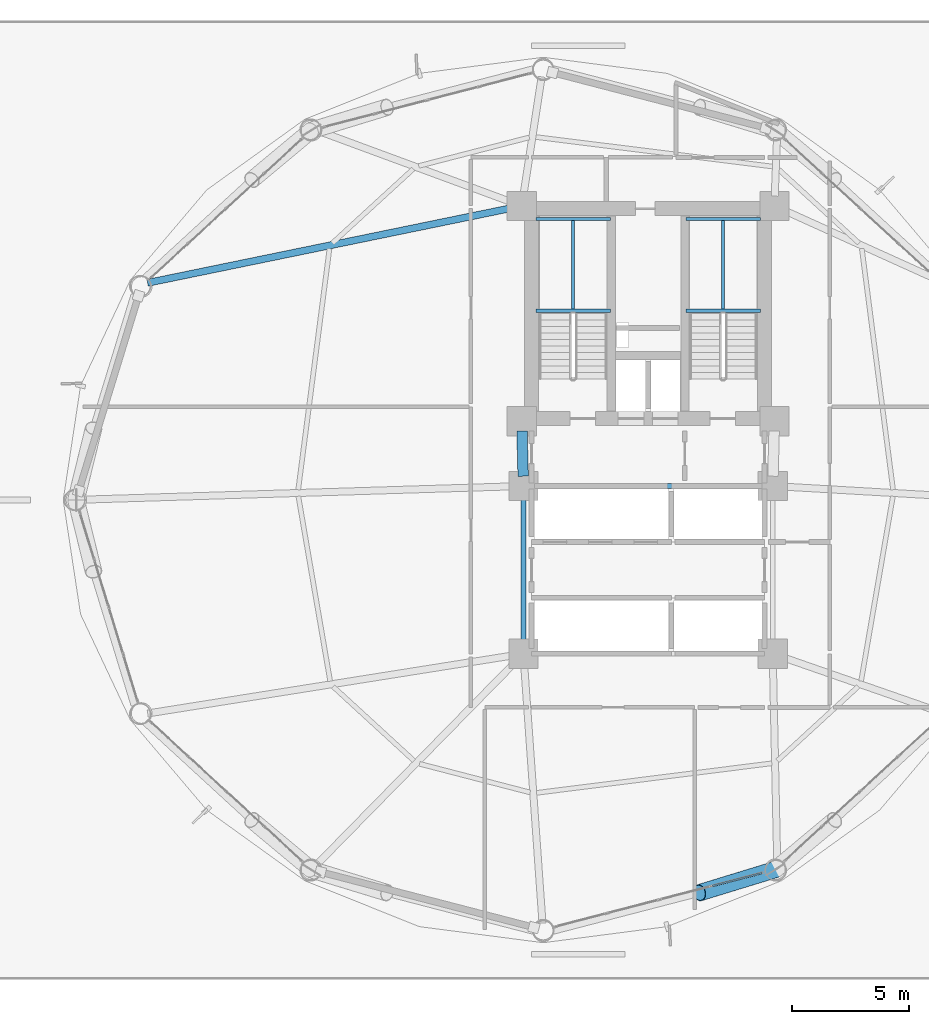
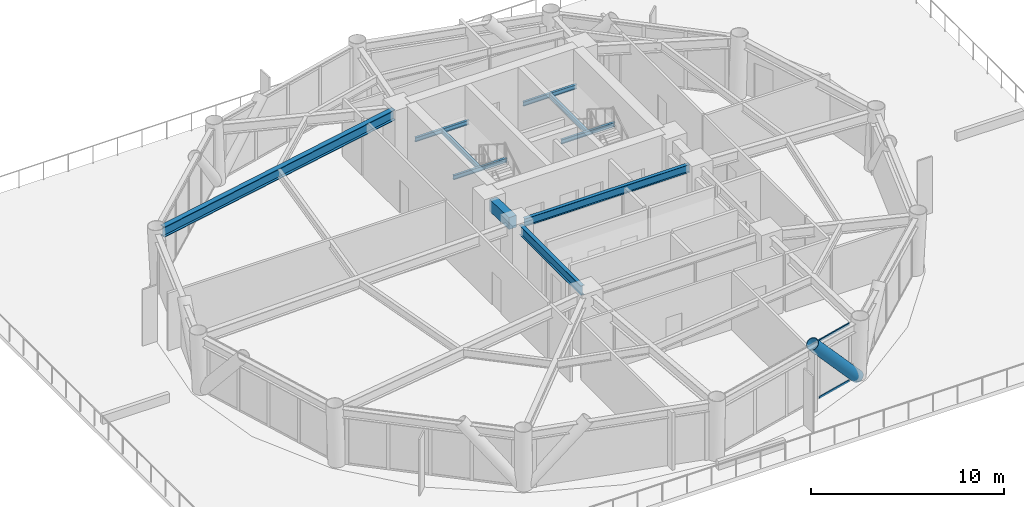
# One storey, part 10 of 24: 10 beams, 3 members, 1 element without a shape of its own.
"""IFC4 building model written with IfcOpenShell, lengths in metres."""

from ifc_helpers import new_model, si_unit, direction, frame, origin, origin_2d, place, context, subcontext, project, spatial, rectangle, hollow_rectangle, hollow_circle, i_section, extrude, material, layer, layer_set, material_profile, profile_set, type_object, element, aggregate, save


model = new_model("IFC4")

# Units and contexts
model_context = context("Model", 3, precision=1e-05, world=origin(), true_north=direction((0.0, 1.0)))
body_context = subcontext(model_context, "Body", "Model", "MODEL_VIEW")
ifc_project = project(units=[si_unit("LENGTHUNIT", "METRE"), si_unit("AREAUNIT", "SQUARE_METRE"), si_unit("VOLUMEUNIT", "CUBIC_METRE"), si_unit("PLANEANGLEUNIT", "RADIAN"), si_unit("MASSUNIT", "GRAM", prefix="KILO")], contexts=[model_context])

# Site, building, storey
site_placement = place(None, origin())
site = spatial("IfcSite", under=ifc_project, at=site_placement, CompositionType="ELEMENT")
building_placement = place(site_placement, origin())
building = spatial("IfcBuilding", under=site, at=building_placement, Name="Varnakorn Sky Granary", CompositionType="ELEMENT")
storey_placement = place(building_placement, frame((0.0, 0.0, 27.60009765625)))
storey = spatial("IfcBuildingStorey", under=building, at=storey_placement, Name="L06", CompositionType="ELEMENT", Elevation=27.60009765625)

# Beams
ifc_material_1 = material(Name="Steel S355JR", Category="steel")
ifc_material_profile_1 = material_profile(ifc_material_1, i_section(OverallWidth=0.219970703125, OverallDepth=0.60009765625, WebThickness=0.011962890625, FlangeThickness=0.01904296875, at=origin_2d()), Name="IPE 600")
ifc_profile_set_1 = profile_set([ifc_material_profile_1], Name="Steel S355JR")
beam_type_1 = type_object("IfcBeamType", Name="BM-JST-600", PredefinedType="JOIST", material=ifc_profile_set_1)
beam_1_placement = place(storey_placement, frame((-2.35009765625, 0.179931640625, 3.33984375), z_axis=(0.0, -1.0, 0.0), x_axis=(1.0, 0.0, 0.0)))
element("IfcBeam", 1, at=beam_1_placement, inside=storey, type_object=beam_type_1, Name="Core Spine Framing Beam 3 L06", PredefinedType="JOIST", context=body_context, shape_type="SweptSolid", body=[
    extrude(i_section(OverallWidth=0.219970703125, OverallDepth=0.60009765625, WebThickness=0.011962890625, FlangeThickness=0.01904296875, at=origin_2d()), origin(), (0.0, 0.0, 1.0), 6.35986328125),
])
ifc_material_2 = material(Name="Concrete C60/75", Category="concrete")
ifc_material_profile_2 = material_profile(ifc_material_2, rectangle(XDim=0.449951171875, YDim=0.75, at=origin_2d()), Name="RC 450x750")
ifc_profile_set_2 = profile_set([ifc_material_profile_2], Name="Concrete C60/75")
beam_type_2 = type_object("IfcBeamType", Name="BM-LIN-750", PredefinedType="LINTEL", material=ifc_profile_set_2)
beam_2_placement = place(storey_placement, frame((-2.409423828125, 2.960205078125, 3.264892578125), z_axis=(0.025158763514, -0.999683468213, 0.0), x_axis=(0.999683468213, 0.025158763514, 0.0)))
element("IfcBeam", 2, at=beam_2_placement, inside=storey, type_object=beam_type_2, Name="Core Spine Framing Beam 1 L06", PredefinedType="LINTEL", context=body_context, shape_type="SweptSolid", body=[
    extrude(rectangle(XDim=0.449951171875, YDim=0.75, at=origin_2d()), origin(), (0.0, 0.0, 1.0), 1.94091796875),
])
ifc_material_profile_3 = material_profile(ifc_material_1, i_section(OverallWidth=0.135009765625, OverallDepth=0.27001953125, WebThickness=0.006591796875, FlangeThickness=0.01025390625, at=origin_2d()), Name="IPE 270")
ifc_profile_set_3 = profile_set([ifc_material_profile_3], Name="Steel S355JR")
beam_type_3 = type_object("IfcBeamType", Name="BM-LND-270", PredefinedType="BEAM", material=ifc_profile_set_3)
for number, where, z_axis, x_axis, name in (
    (3, (-1.820068359375, 8.1201171875, 1.614990234375), (1.0, 0.0, 0.0), (0.0, 1.0, 0.0), "Stair ST-1 Landing Trimmer Beam A L06-1"),
    (4, (-1.820068359375, 12.06005859375, 1.614990234375), (1.0, 0.0, 0.0), (0.0, 1.0, 0.0), "Stair ST-1 Landing Trimmer Beam B L06-1"),
):
    element("IfcBeam", number, at=place(storey_placement, frame(where, z_axis=z_axis, x_axis=x_axis)), inside=storey, type_object=beam_type_3, Name=name, PredefinedType="BEAM", context=body_context, shape_type="SweptSolid", body=[
        extrude(i_section(OverallWidth=0.135009765625, OverallDepth=0.27001953125, WebThickness=0.006591796875, FlangeThickness=0.01025390625, at=origin_2d()), origin(), (0.0, 0.0, 1.0), 3.199951171875),
    ])
beam_3_placement = place(storey_placement, frame((-0.219970703125, 8.1201171875, 1.614990234375), z_axis=(0.0, 1.0, 0.0), x_axis=(-1.0, 0.0, 0.0)))
element("IfcBeam", 5, at=beam_3_placement, inside=storey, type_object=beam_type_3, Name="Stair ST-1 Landing Cross Beam C L06-1", PredefinedType="BEAM", context=body_context, shape_type="SweptSolid", body=[
    extrude(i_section(OverallWidth=0.135009765625, OverallDepth=0.27001953125, WebThickness=0.006591796875, FlangeThickness=0.01025390625, at=origin_2d()), origin(), (0.0, 0.0, 1.0), 3.93994140625),
])
for number, where, z_axis, x_axis, name in (
    (6, (4.6201171875, 8.1201171875, 1.614990234375), (1.0, 0.0, 0.0), (0.0, 1.0, 0.0), "Stair ST-2 Landing Trimmer Beam A L06-1"),
    (7, (4.6201171875, 12.06005859375, 1.614990234375), (1.0, 0.0, 0.0), (0.0, 1.0, 0.0), "Stair ST-2 Landing Trimmer Beam B L06-1"),
):
    element("IfcBeam", number, at=place(storey_placement, frame(where, z_axis=z_axis, x_axis=x_axis)), inside=storey, type_object=beam_type_3, Name=name, PredefinedType="BEAM", context=body_context, shape_type="SweptSolid", body=[
        extrude(i_section(OverallWidth=0.135009765625, OverallDepth=0.27001953125, WebThickness=0.006591796875, FlangeThickness=0.01025390625, at=origin_2d()), origin(), (0.0, 0.0, 1.0), 3.199951171875),
    ])
beam_4_placement = place(storey_placement, frame((6.219970703125, 8.1201171875, 1.614990234375), z_axis=(0.0, 1.0, 0.0), x_axis=(-1.0, 0.0, 0.0)))
element("IfcBeam", 8, at=beam_4_placement, inside=storey, type_object=beam_type_3, Name="Stair ST-2 Landing Cross Beam C L06-1", PredefinedType="BEAM", context=body_context, shape_type="SweptSolid", body=[
    extrude(i_section(OverallWidth=0.135009765625, OverallDepth=0.27001953125, WebThickness=0.006591796875, FlangeThickness=0.01025390625, at=origin_2d()), origin(), (0.0, 0.0, 1.0), 3.93994140625),
])
ifc_material_profile_4 = material_profile(ifc_material_1, i_section(OverallWidth=0.300048828125, OverallDepth=0.64990234375, WebThickness=0.01611328125, FlangeThickness=0.031005859375, at=origin_2d()), Name="HE 650 B")
ifc_profile_set_4 = profile_set([ifc_material_profile_4], Name="Steel S355JR")
beam_type_4 = type_object("IfcBeamType", Name="BM-RAD-Z1", PredefinedType="BEAM", material=ifc_profile_set_4)
beam_5_placement = place(storey_placement, frame((-2.831298828125, 12.535400390625, 3.31494140625), z_axis=(-0.979522697651, -0.201333764644, 0.0), x_axis=(0.201333764644, -0.979522697651, 0.0)))
element("IfcBeam", 9, at=beam_5_placement, inside=storey, type_object=beam_type_4, Name="Radial Floor Girder RG06 L06", PredefinedType="BEAM", context=body_context, shape_type="SweptSolid", body=[
    extrude(i_section(OverallWidth=0.300048828125, OverallDepth=0.64990234375, WebThickness=0.01611328125, FlangeThickness=0.031005859375, at=origin_2d()), origin(), (0.0, 0.0, 1.0), 15.97265625),
])
ifc_material_profile_5 = material_profile(ifc_material_1, i_section(OverallWidth=0.199951171875, OverallDepth=0.5, WebThickness=0.01025390625, FlangeThickness=0.01611328125, at=origin_2d()), Name="IPE 500")
ifc_profile_set_5 = profile_set([ifc_material_profile_5], Name="Steel S355JR")
beam_type_5 = type_object("IfcBeamType", Name="BM-SEC-Z1", PredefinedType="BEAM", material=ifc_profile_set_5)
beam_6_placement = place(storey_placement, frame((-1.929931640625, 0.60009765625, 3.389892578125), z_axis=(1.0, 0.0, 0.0), x_axis=(0.0, 1.0, 0.0)))
element("IfcBeam", 10, at=beam_6_placement, inside=storey, type_object=beam_type_5, Name="Core Spine Framing Beam 5 L06", PredefinedType="BEAM", context=body_context, shape_type="SweptSolid", body=[
    extrude(i_section(OverallWidth=0.199951171875, OverallDepth=0.5, WebThickness=0.01025390625, FlangeThickness=0.01611328125, at=origin_2d()), origin(), (0.0, 0.0, 1.0), 9.85986328125),
])

# Curtain wall, members
ifc_material_3 = material(Name="Anodised Bronze Aluminium Alloy 6063-T6", Category="aluminium")
ifc_layer = layer(ifc_material_3, 0.18994140625, Name="Anodised Bronze Aluminium Alloy 6063-T6")
ifc_layer_set = layer_set([ifc_layer], Name="Anodised Bronze Aluminium Alloy 6063-T6")
curtain_wall_type = type_object("IfcCurtainWallType", Name="CW-FRM-1", PredefinedType="USERDEFINED", material=ifc_layer_set)
curtain_wall_placement = place(storey_placement, origin())
curtain_wall = element("IfcCurtainWall", 11, at=curtain_wall_placement, inside=storey, type_object=curtain_wall_type, Name="Unitised Curtain Wall CW3 CW-L06-B10", ObjectType="CURTAIN WALL", PredefinedType="USERDEFINED")
ifc_material_profile_6 = material_profile(ifc_material_3, hollow_rectangle(XDim=0.070068359375, YDim=0.139892578125, WallThickness=0.00341796875, at=origin_2d()), Name="ALU TRAN 70x140")
ifc_profile_set_6 = profile_set([ifc_material_profile_6], Name="Anodised Bronze Aluminium Alloy 6063-T6")
member_type_1 = type_object("IfcMemberType", Name="CW-FRM-1-TRAN", PredefinedType="USERDEFINED", material=ifc_profile_set_6)
member_1_placement = place(storey_placement, frame((7.889404296875, -16.009033203125, 0.034912109375), z_axis=(-0.967837579781, -0.251575871583, 0.0), x_axis=(0.251575871583, -0.967837579781, 0.0)))
member_1 = element("IfcMember", 12, at=member_1_placement, type_object=member_type_1, Name="CW3 transom 1.1", ObjectType="TRANSOM", PredefinedType="USERDEFINED", context=body_context, shape_type="SweptSolid", body=[
    extrude(hollow_rectangle(XDim=0.070068359375, YDim=0.139892578125, WallThickness=0.00341796875, at=origin_2d()), origin(), (0.0, 0.0, 1.0), 2.208740234375),
])
member_2_placement = place(storey_placement, frame((7.889404296875, -16.009033203125, 3.60498046875), z_axis=(-0.967837579781, -0.251575871583, 0.0), x_axis=(0.251575871583, -0.967837579781, 0.0)))
member_2 = element("IfcMember", 13, at=member_2_placement, type_object=member_type_1, Name="CW3 transom 1.2", ObjectType="TRANSOM", PredefinedType="USERDEFINED", context=body_context, shape_type="SweptSolid", body=[
    extrude(hollow_rectangle(XDim=0.070068359375, YDim=0.139892578125, WallThickness=0.00341796875, at=origin_2d()), origin(), (0.0, 0.0, 1.0), 2.208740234375),
])
aggregate(curtain_wall, [member_1, member_2])

# Member
ifc_material_4 = material(Name="Steel S460M", Category="steel")
ifc_material_profile_7 = material_profile(ifc_material_4, hollow_circle(Radius=0.35546875, WallThickness=0.02490234375, at=origin_2d()), Name="CHS 711x25")
ifc_profile_set_7 = profile_set([ifc_material_profile_7], Name="Steel S460M")
member_type_2 = type_object("IfcMemberType", Name="MB-DIAG-T0", PredefinedType="BRACE", material=ifc_profile_set_7)
member_3_placement = place(storey_placement, frame((8.45751953125, -15.861328125, 0.0), z_axis=(-0.639166331841, -0.195453892164, 0.743817300335), x_axis=(0.292427985995, -0.95628754724, 0.0)))
element("IfcMember", 14, at=member_3_placement, inside=storey, type_object=member_type_2, Name="Perimeter CHS Diagrid Brace DG10 L06", PredefinedType="BRACE", context=body_context, shape_type="SweptSolid", body=[
    extrude(hollow_circle(Radius=0.35546875, WallThickness=0.02490234375, at=origin_2d()), origin(), (0.0, 0.0, 1.0), 5.094970703125),
])

save(model, "model.ifc")
